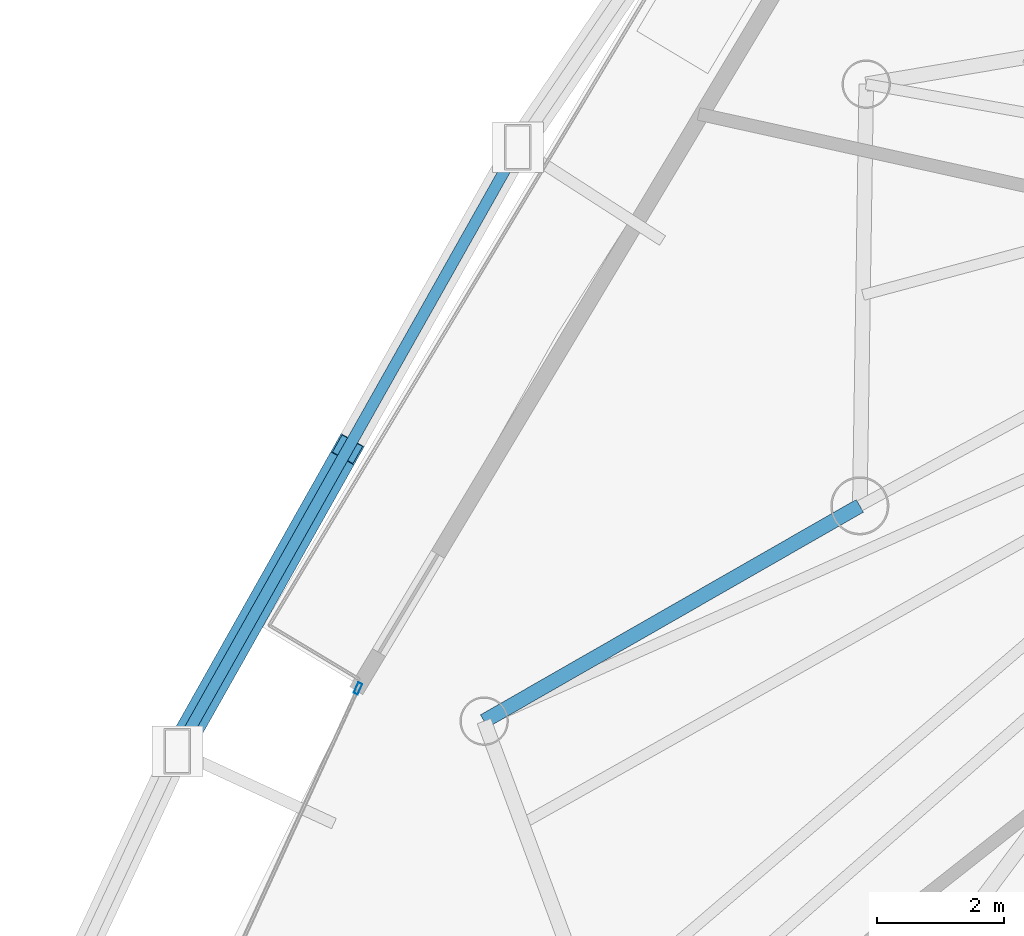
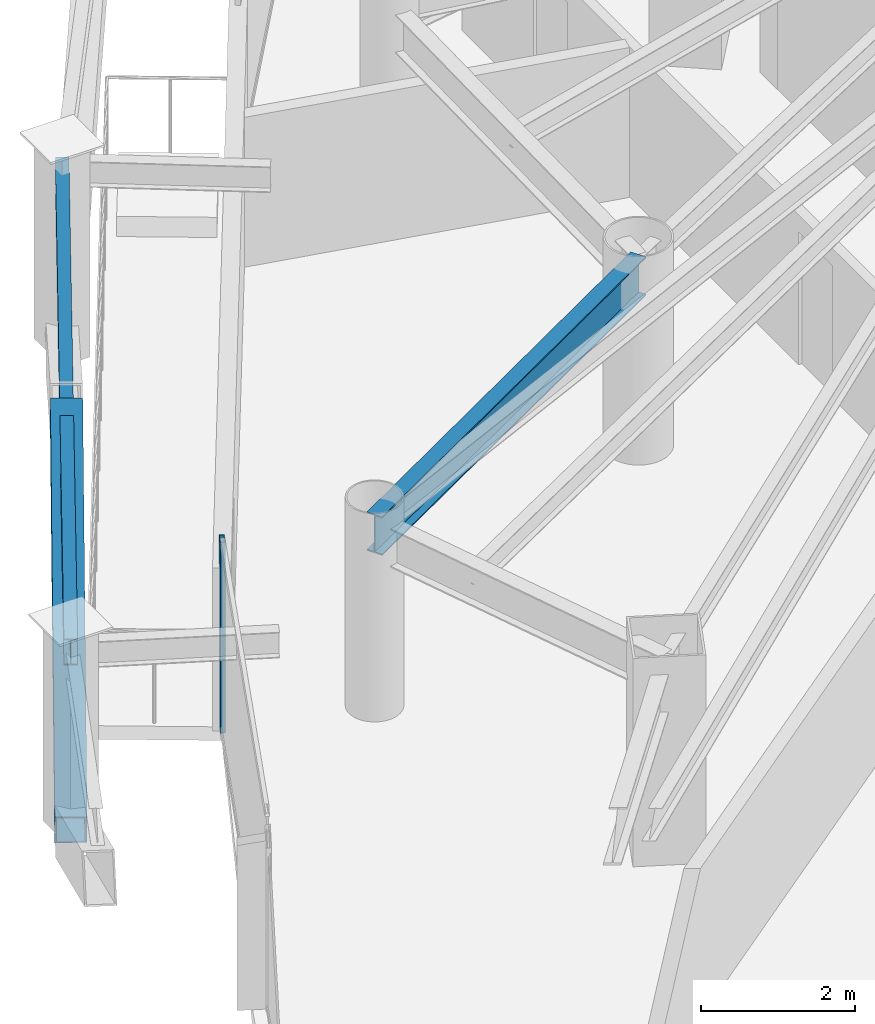
# One storey, part 11 of 38: 2 beams, 2 members, 1 element without a shape of its own.
"""IFC4 building model written with IfcOpenShell, lengths in metres."""

from ifc_helpers import new_model, si_unit, direction, frame, origin, origin_2d, place, context, subcontext, project, spatial, hollow_rectangle, i_section, extrude, material, layer, layer_set, material_profile, profile_set, type_object, element, aggregate, save


model = new_model("IFC4")

# Units and contexts
model_context = context("Model", 3, precision=1e-05, world=origin(), true_north=direction((0.0, 1.0)))
body_context = subcontext(model_context, "Body", "Model", "MODEL_VIEW")
ifc_project = project(units=[si_unit("LENGTHUNIT", "METRE"), si_unit("AREAUNIT", "SQUARE_METRE"), si_unit("VOLUMEUNIT", "CUBIC_METRE"), si_unit("PLANEANGLEUNIT", "RADIAN"), si_unit("MASSUNIT", "GRAM", prefix="KILO")], contexts=[model_context])

# Site, building, storey
site_placement = place(None, origin())
site = spatial("IfcSite", under=ifc_project, at=site_placement, CompositionType="ELEMENT")
building_placement = place(site_placement, origin())
building = spatial("IfcBuilding", under=site, at=building_placement, Name="Orvanel Arch Residences", CompositionType="ELEMENT")
storey_placement = place(building_placement, frame((0.0, 0.0, 56.60009765625)))
storey = spatial("IfcBuildingStorey", under=building, at=storey_placement, Name="L15", CompositionType="ELEMENT", Elevation=56.60009765625)

# Member
ifc_material_1 = material(Name="Structural steel AS/NZS 3678 Grade 350", Category="steel")
ifc_material_profile_1 = material_profile(ifc_material_1, hollow_rectangle(XDim=0.419921875, YDim=0.719970703125, WallThickness=0.02490234375, at=origin_2d()), Name="RHS720x420x25")
ifc_profile_set_1 = profile_set([ifc_material_profile_1], Name="Structural steel AS/NZS 3678 Grade 350")
member_type_1 = type_object("IfcMemberType", Name="BR-720RHS-EXT", PredefinedType="BRACE", material=ifc_profile_set_1)
member_1_placement = place(storey_placement, frame((9.839111328125, 23.782958984375, 0.0), z_axis=(0.436147705068, 0.773923409504, 0.45914892528), x_axis=(-0.871182865338, 0.490958669483, 0.0)))
element("IfcMember", 1, at=member_1_placement, inside=storey, type_object=member_type_1, Name="L15 Exterior Sky-Garden V-Frame Chevron F1B2.2", PredefinedType="BRACE", context=body_context, shape_type="SweptSolid", body=[
    extrude(hollow_rectangle(XDim=0.419921875, YDim=0.719970703125, WallThickness=0.02490234375, at=origin_2d()), origin(), (0.0, 0.0, 1.0), 6.135009765625),
])

# Curtain wall, member
ifc_material_2 = material(Name="Bronze-anodised aluminium AA6063-T6", Category="aluminium")
ifc_layer = layer(ifc_material_2, 0.179931640625)
ifc_layer_set = layer_set([ifc_layer], Name="Bronze-anodised aluminium AA6063-T6")
curtain_wall_type = type_object("IfcCurtainWallType", Name="CW2-LOW-SYS", PredefinedType="NOTDEFINED", material=ifc_layer_set)
curtain_wall_placement = place(storey_placement, origin())
curtain_wall = element("IfcCurtainWall", 2, at=curtain_wall_placement, inside=storey, type_object=curtain_wall_type, Name="L15 CW2-LOW-SYS Unitised Curtain Wall", PredefinedType="NOTDEFINED")
ifc_material_profile_2 = material_profile(ifc_material_2, hollow_rectangle(XDim=0.070068359375, YDim=0.179931640625, WallThickness=0.00439453125, at=origin_2d()), Name="ALU180x70x4.5")
ifc_profile_set_2 = profile_set([ifc_material_profile_2], Name="Bronze-anodised aluminium AA6063-T6")
member_type_2 = type_object("IfcMemberType", Name="MUL-180x70", PredefinedType="MULLION", material=ifc_profile_set_2)
member_2_placement = place(storey_placement, frame((12.678466796875, 24.770263671875, 0.0), z_axis=(0.0, 0.0, 1.0), x_axis=(0.909298821002, -0.416143790203, 0.0)))
member_2 = element("IfcMember", 3, at=member_2_placement, type_object=member_type_2, Name="CW-S2 mullion 1", PredefinedType="MULLION", context=body_context, shape_type="SweptSolid", body=[
    extrude(hollow_rectangle(XDim=0.070068359375, YDim=0.179931640625, WallThickness=0.00439453125, at=origin_2d()), origin(), (0.0, 0.0, 1.0), 3.02001953125),
])
aggregate(curtain_wall, [member_2])

# Beams
ifc_material_3 = material(Name="Structural steel AS/NZS 3679.1 Grade 300 (300 MPa)", Category="steel")
ifc_material_profile_3 = material_profile(ifc_material_3, i_section(OverallWidth=0.177978515625, OverallDepth=0.406005859375, WebThickness=0.0078125, FlangeThickness=0.0126953125, at=origin_2d()), Name="410UB59.7")
ifc_profile_set_3 = profile_set([ifc_material_profile_3], Name="Structural steel AS/NZS 3679.1 Grade 300 (300 MPa)")
beam_type_1 = type_object("IfcBeamType", Name="OB-410UB-EXT", PredefinedType="SPANDREL", material=ifc_profile_set_3)
beam_1_placement = place(storey_placement, frame((15.19189453125, 33.279052734375, 2.81689453125), z_axis=(-0.491043657407, -0.871134964584, 0.0), x_axis=(0.871134964584, -0.491043657407, 0.0)))
element("IfcBeam", 4, at=beam_1_placement, inside=storey, type_object=beam_type_1, Name="L15 Outer Perimeter Floor Ring Beam 02", PredefinedType="SPANDREL", context=body_context, shape_type="SweptSolid", body=[
    extrude(i_section(OverallWidth=0.177978515625, OverallDepth=0.406005859375, WebThickness=0.0078125, FlangeThickness=0.0126953125, at=origin_2d()), origin(), (0.0, 0.0, 1.0), 10.90087890625),
])
ifc_material_profile_4 = material_profile(ifc_material_3, i_section(OverallWidth=0.22900390625, OverallDepth=0.612060546875, WebThickness=0.011962890625, FlangeThickness=0.01953125, at=origin_2d()), Name="610UB125")
ifc_profile_set_4 = profile_set([ifc_material_profile_4], Name="Structural steel AS/NZS 3679.1 Grade 300 (300 MPa)")
beam_type_2 = type_object("IfcBeamType", Name="SP-610UB", PredefinedType="SPANDREL", material=ifc_profile_set_4)
beam_2_placement = place(storey_placement, frame((20.569091796875, 27.64111328125, 2.7138671875), z_axis=(-0.867635629025, -0.497200578485, 0.0), x_axis=(0.497200578485, -0.867635629025, 0.0)))
element("IfcBeam", 5, at=beam_2_placement, inside=storey, type_object=beam_type_2, Name="L15 Perimeter Spandrel Beam 21", PredefinedType="SPANDREL", context=body_context, shape_type="SweptSolid", body=[
    extrude(i_section(OverallWidth=0.22900390625, OverallDepth=0.612060546875, WebThickness=0.011962890625, FlangeThickness=0.01953125, at=origin_2d()), origin(), (0.0, 0.0, 1.0), 6.80810546875),
])

save(model, "model.ifc")
